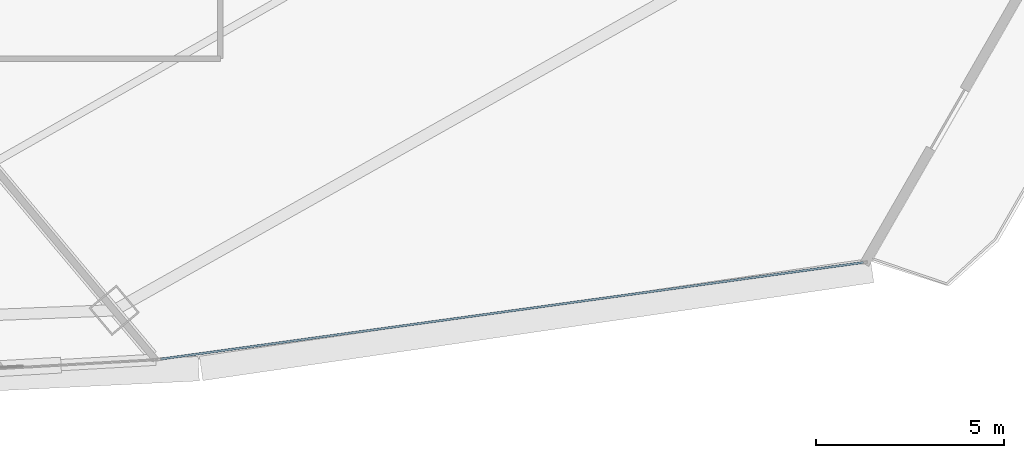
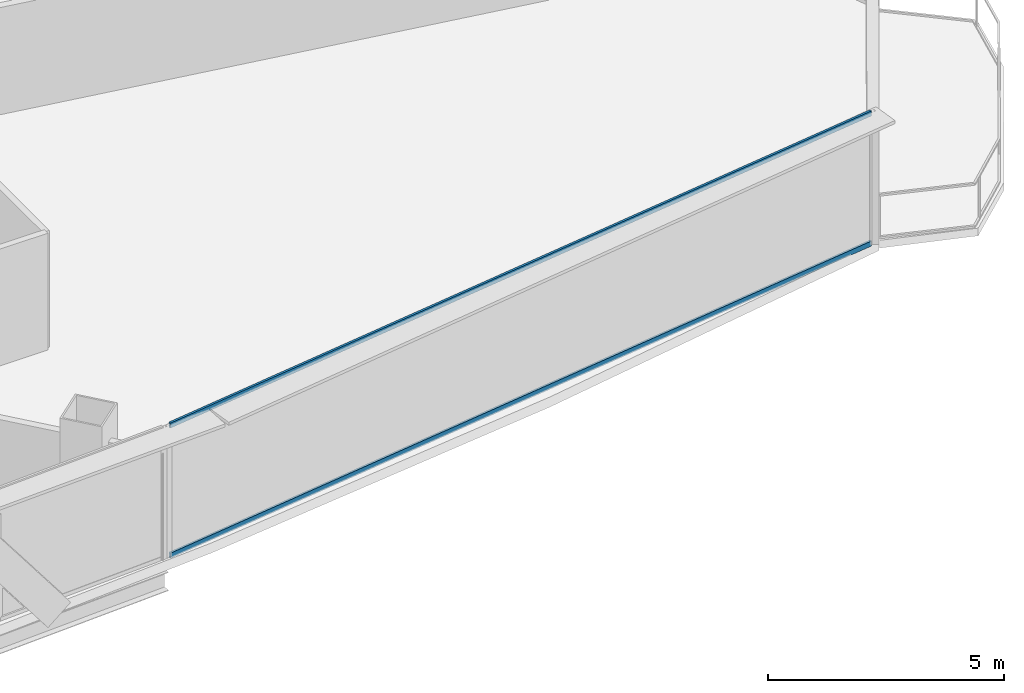
# One storey, part 21 of 39: 2 members, 1 element without a shape of its own.
"""IFC4 building model written with IfcOpenShell, lengths in metres."""

from ifc_helpers import new_model, si_unit, direction, frame, origin, origin_2d, place, context, subcontext, project, spatial, hollow_rectangle, extrude, source, transform, mapped, material, layer, layer_set, material_profile, profile_set, type_object, element, aggregate, save


model = new_model("IFC4")

# Units and contexts
model_context = context("Model", 3, precision=1e-05, world=origin(), true_north=direction((0.0, 1.0)))
body_context = subcontext(model_context, "Body", "Model", "MODEL_VIEW")
ifc_project = project(units=[si_unit("LENGTHUNIT", "METRE"), si_unit("AREAUNIT", "SQUARE_METRE"), si_unit("VOLUMEUNIT", "CUBIC_METRE"), si_unit("PLANEANGLEUNIT", "RADIAN"), si_unit("MASSUNIT", "GRAM", prefix="KILO"), si_unit("THERMODYNAMICTEMPERATUREUNIT", "KELVIN"), si_unit("POWERUNIT", "WATT")], contexts=[model_context])

# Site, building, storey
site_placement = place(None, origin())
site = spatial("IfcSite", under=ifc_project, at=site_placement, CompositionType="ELEMENT")
building_placement = place(site_placement, origin())
building = spatial("IfcBuilding", under=site, at=building_placement, Name="Yunzhuo Pagoda Commons", CompositionType="ELEMENT")
storey_placement = place(building_placement, frame((0.0, 0.0, 148.22998046875)))
storey = spatial("IfcBuildingStorey", under=building, at=storey_placement, Name="L37", CompositionType="ELEMENT", Elevation=148.22998046875)

# Curtain wall, members
ifc_material = material(Name="Anodized aluminium 6063-T6", Category="aluminium")
ifc_layer = layer(ifc_material, 0.14990234375)
ifc_layer_set = layer_set([ifc_layer], Name="Anodized aluminium 6063-T6")
curtain_wall_type = type_object("IfcCurtainWallType", Name="CW-MID Mid-Zone Ribbon Curtain Wall", PredefinedType="NOTDEFINED", material=ifc_layer_set)
curtain_wall_placement = place(storey_placement, origin())
curtain_wall = element("IfcCurtainWall", 1, at=curtain_wall_placement, inside=storey, type_object=curtain_wall_type, Name="L37 curtain wall CW-L37-F1B5", PredefinedType="NOTDEFINED")
ifc_material_profile = material_profile(ifc_material, hollow_rectangle(XDim=0.054931640625, YDim=0.1298828125, WallThickness=0.00341796875, at=origin_2d()), Name="Anodized aluminium 6063-T6")
ifc_profile_set = profile_set([ifc_material_profile], Name="Anodized aluminium 6063-T6")
member_type = type_object("IfcMemberType", Name="CW-MID-T Transom RHS 130x55x3.5", PredefinedType="USERDEFINED", material=ifc_profile_set)
shared_shape = source(origin(), body_context, "Body", "SweptSolid", [
    extrude(hollow_rectangle(XDim=0.054931640625, YDim=0.1298828125, WallThickness=0.00341796875, at=origin_2d()), origin(), (0.0, 0.0, 1.0), 18.81201171875),
])
member_1_placement = place(storey_placement, frame((64.8193359375, 13.833251953125, 0.027587890625), z_axis=(0.990679190111, 0.136215793065, 0.0), x_axis=(-0.136215793065, 0.990679190111, 0.0)))
member_1 = element("IfcMember", 2, at=member_1_placement, type_object=member_type, Name="CW transom 1.1", ObjectType="TRANSOM", PredefinedType="USERDEFINED", context=body_context, shape_type="MappedRepresentation", body=[
    mapped(shared_shape, transform((0.0, 0.0, 0.0), scale=1.0)),
])
member_2_placement = place(storey_placement, frame((64.8193359375, 13.833251953125, 3.392578125), z_axis=(0.990679190111, 0.136215793065, 0.0), x_axis=(-0.136215793065, 0.990679190111, 0.0)))
member_2 = element("IfcMember", 3, at=member_2_placement, type_object=member_type, Name="CW transom 1.2", ObjectType="TRANSOM", PredefinedType="USERDEFINED", context=body_context, shape_type="MappedRepresentation", body=[
    mapped(shared_shape, transform((0.0, 0.0, 0.0), scale=1.0)),
])
aggregate(curtain_wall, [member_1, member_2])

save(model, "model.ifc")
